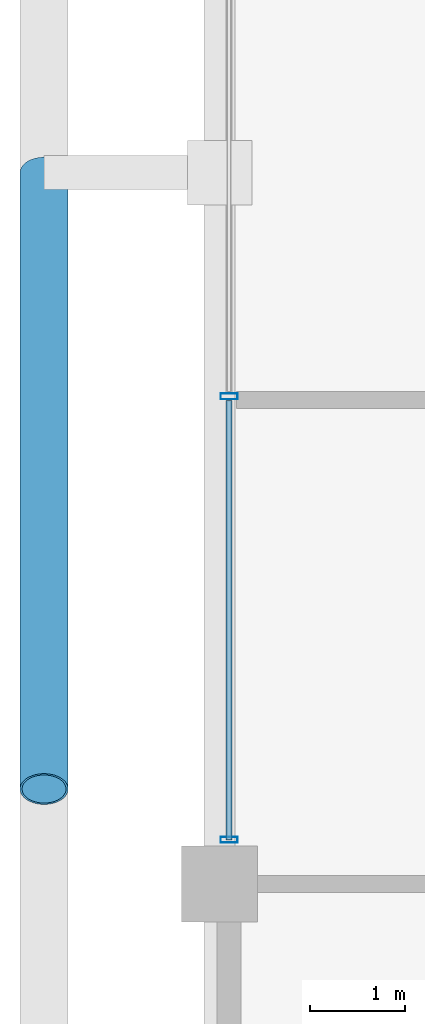
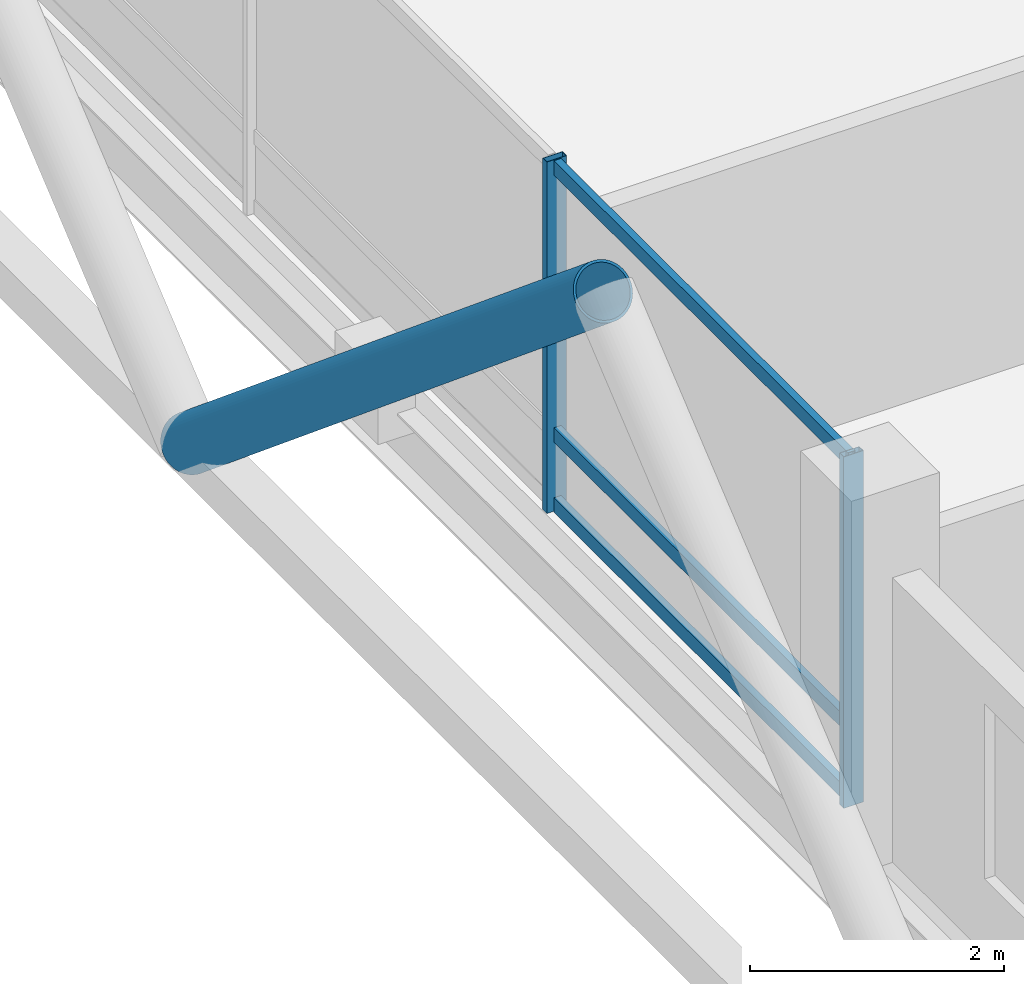
# One storey, part 5 of 25: 6 members, 1 element without a shape of its own.
"""IFC4 building model written with IfcOpenShell, lengths in metres."""

from ifc_helpers import new_model, si_unit, direction, frame, origin, origin_2d, place, context, subcontext, project, spatial, hollow_rectangle, hollow_circle, extrude, material, layer, layer_set, material_profile, profile_set, type_object, element, aggregate, save


model = new_model("IFC4")

# Units and contexts
model_context = context("Model", 3, precision=1e-05, world=origin(), true_north=direction((0.0, 1.0)))
body_context = subcontext(model_context, "Body", "Model", "MODEL_VIEW")
ifc_project = project(units=[si_unit("LENGTHUNIT", "METRE"), si_unit("AREAUNIT", "SQUARE_METRE"), si_unit("VOLUMEUNIT", "CUBIC_METRE"), si_unit("PLANEANGLEUNIT", "RADIAN"), si_unit("MASSUNIT", "GRAM", prefix="KILO")], contexts=[model_context])

# Site, building, storey
site_placement = place(None, origin())
site = spatial("IfcSite", under=ifc_project, at=site_placement, CompositionType="ELEMENT")
building_placement = place(site_placement, origin())
building = spatial("IfcBuilding", under=site, at=building_placement, Name="Barlavira Tower and Art Museum", CompositionType="ELEMENT")
storey_placement = place(building_placement, frame((0.0, 0.0, 144.0)))
storey = spatial("IfcBuildingStorey", under=building, at=storey_placement, Name="L36", CompositionType="ELEMENT", Elevation=144.0)

# Curtain wall, members
ifc_material_1 = material(Name="Low-iron coastal laminated glass", Category="glass")
ifc_layer = layer(ifc_material_1, 0.18994140625, Name="Low-iron coastal laminated glass")
ifc_layer_set = layer_set([ifc_layer], Name="Low-iron coastal laminated glass")
curtain_wall_type = type_object("IfcCurtainWallType", Name="Pale-Metal Unitised Curtain Wall Zone 2", PredefinedType="NOTDEFINED", material=ifc_layer_set)
curtain_wall_placement = place(storey_placement, origin())
curtain_wall = element("IfcCurtainWall", 1, at=curtain_wall_placement, inside=storey, type_object=curtain_wall_type, Name="L36 Curtain Wall CW2-L36-W-B3", PredefinedType="NOTDEFINED")
ifc_material_2 = material(Name="Pale anodised aluminium", Category="aluminium")
ifc_material_profile_1 = material_profile(ifc_material_2, hollow_rectangle(XDim=0.06494140625, YDim=0.179931640625, WallThickness=0.00390625, at=origin_2d()), Name="ALU-MULL 65x180x4")
ifc_profile_set_1 = profile_set([ifc_material_profile_1], Name="Pale anodised aluminium")
member_type_1 = type_object("IfcMemberType", Name="Curtain Wall Pale-Metal Mullion 65x180", PredefinedType="MULLION", material=ifc_profile_set_1)
member_1_placement = place(storey_placement, frame((-20.14990234375, -2.360107421875, 0.0), z_axis=(0.0, 0.0, 1.0), x_axis=(0.0, -1.0, 0.0)))
member_1 = element("IfcMember", 2, at=member_1_placement, type_object=member_type_1, Name="CW2-L36-W-B3 Mullion 2", PredefinedType="MULLION", context=body_context, shape_type="SweptSolid", body=[
    extrude(hollow_rectangle(XDim=0.06494140625, YDim=0.179931640625, WallThickness=0.00390625, at=origin_2d()), origin(), (0.0, 0.0, 1.0), 3.3798828125),
])
member_2_placement = place(storey_placement, frame((-20.14990234375, -7.034912109375, 0.0), z_axis=(0.0, 0.0, 1.0), x_axis=(0.0, -1.0, 0.0)))
member_2 = element("IfcMember", 3, at=member_2_placement, type_object=member_type_1, Name="CW2-L36-W-B3 Mullion 3", PredefinedType="MULLION", context=body_context, shape_type="SweptSolid", body=[
    extrude(hollow_rectangle(XDim=0.06494140625, YDim=0.179931640625, WallThickness=0.00390625, at=origin_2d()), origin(), (0.0, 0.0, 1.0), 3.3798828125),
])
ifc_material_profile_2 = material_profile(ifc_material_2, hollow_rectangle(XDim=0.06494140625, YDim=0.139892578125, WallThickness=0.00390625, at=origin_2d()), Name="ALU-TRAN 65x140x4")
ifc_profile_set_2 = profile_set([ifc_material_profile_2], Name="Pale anodised aluminium")
member_type_2 = type_object("IfcMemberType", Name="Curtain Wall Pale-Metal Transom 65x140", PredefinedType="USERDEFINED", material=ifc_profile_set_2)
member_3_placement = place(storey_placement, frame((-20.14990234375, -2.405029296875, 0.070068359375), z_axis=(0.0, -1.0, 0.0), x_axis=(1.0, 0.0, 0.0)))
member_3 = element("IfcMember", 4, at=member_3_placement, type_object=member_type_2, Name="CW2-L36-W-B3 Transom 2.1", ObjectType="TRANSOM", PredefinedType="USERDEFINED", context=body_context, shape_type="SweptSolid", body=[
    extrude(hollow_rectangle(XDim=0.06494140625, YDim=0.139892578125, WallThickness=0.00390625, at=origin_2d()), origin(), (0.0, 0.0, 1.0), 4.6298828125),
])
member_4_placement = place(storey_placement, frame((-20.14990234375, -2.405029296875, 0.743896484375), z_axis=(0.0, -1.0, 0.0), x_axis=(1.0, 0.0, 0.0)))
member_4 = element("IfcMember", 5, at=member_4_placement, type_object=member_type_2, Name="CW2-L36-W-B3 Transom 2.2", ObjectType="TRANSOM", PredefinedType="USERDEFINED", context=body_context, shape_type="SweptSolid", body=[
    extrude(hollow_rectangle(XDim=0.06494140625, YDim=0.139892578125, WallThickness=0.00390625, at=origin_2d()), origin(), (0.0, 0.0, 1.0), 4.6298828125),
])
member_5_placement = place(storey_placement, frame((-20.14990234375, -2.405029296875, 3.31005859375), z_axis=(0.0, -1.0, 0.0), x_axis=(1.0, 0.0, 0.0)))
member_5 = element("IfcMember", 6, at=member_5_placement, type_object=member_type_2, Name="CW2-L36-W-B3 Transom 2.3", ObjectType="TRANSOM", PredefinedType="USERDEFINED", context=body_context, shape_type="SweptSolid", body=[
    extrude(hollow_rectangle(XDim=0.06494140625, YDim=0.139892578125, WallThickness=0.00390625, at=origin_2d()), origin(), (0.0, 0.0, 1.0), 4.6298828125),
])
aggregate(curtain_wall, [member_1, member_2, member_3, member_4, member_5])

# Member
ifc_material_3 = material(Name="Steel S355", Category="steel")
ifc_material_profile_3 = material_profile(ifc_material_3, hollow_circle(Radius=0.25390625, WallThickness=0.022216796875, at=origin_2d()), Name="CHS 508.0x22.2")
ifc_profile_set_3 = profile_set([ifc_material_profile_3], Name="Steel S355")
member_type_3 = type_object("IfcMemberType", Name="Pale-Metal Exoskeleton Diagrid Tube CHS 508x22 Steel S355", PredefinedType="BRACE", material=ifc_profile_set_3)
member_6_placement = place(storey_placement, frame((-22.10009765625, 0.0, -0.1201171875), z_axis=(0.0, -0.76918185268, 0.639029950399), x_axis=(1.0, 0.0, 0.0)))
element("IfcMember", 7, at=member_6_placement, inside=storey, type_object=member_type_3, Name="L36 Exoskeleton Diagrid Tube W", PredefinedType="BRACE", context=body_context, shape_type="SweptSolid", body=[
    extrude(hollow_circle(Radius=0.25390625, WallThickness=0.022216796875, at=origin_2d()), origin(), (0.0, 0.0, 1.0), 8.450439453125),
])

save(model, "model.ifc")
